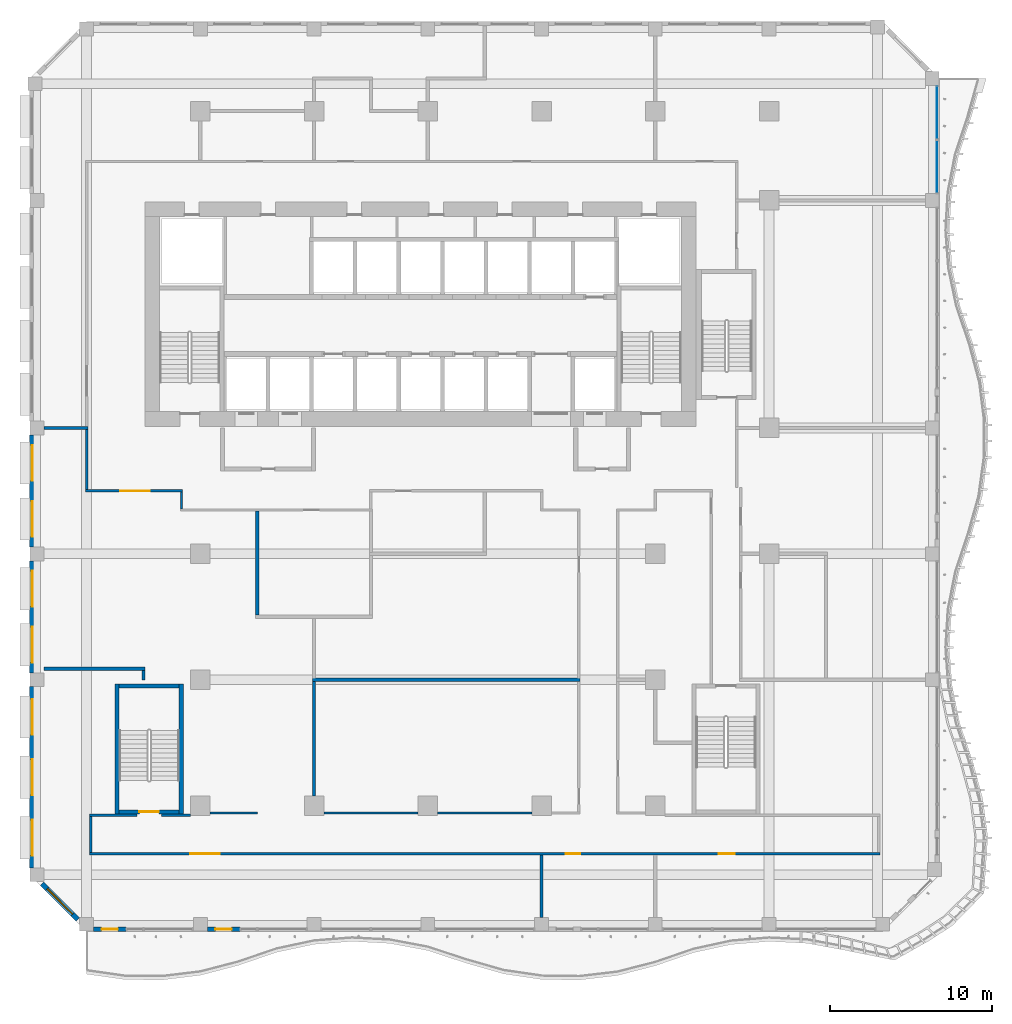
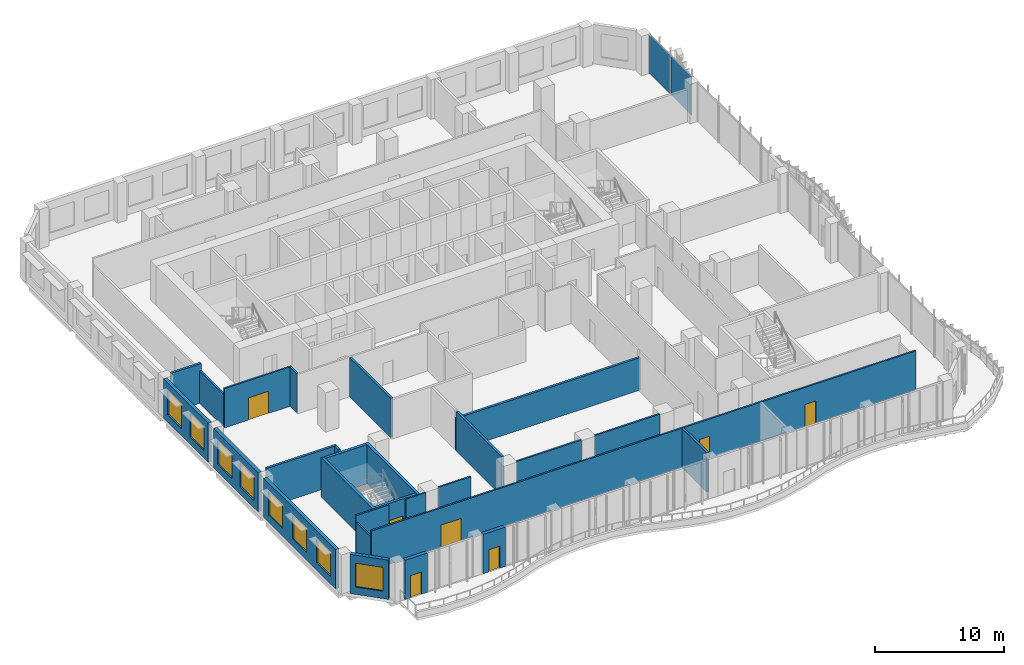
# One storey, part 10 of 26: 27 walls, 8 windows, 7 doors, 2 plates, 15 openings, 2 elements without a shape of their own.
"""IFC4 building model written with IfcOpenShell, lengths in metres."""

from ifc_helpers import new_model, si_unit, direction, frame, frame_2d, origin, origin_2d, place, context, subcontext, project, spatial, rectangle, extrude, source, transform, mapped, material, layer, layer_set, type_object, element, fill, aggregate, save


model = new_model("IFC4")

# Units and contexts
model_context = context("Model", 3, precision=1e-05, world=origin(), true_north=direction((0.0, 1.0)))
body_context = subcontext(model_context, "Body", "Model", "MODEL_VIEW")
ifc_project = project(units=[si_unit("LENGTHUNIT", "METRE"), si_unit("AREAUNIT", "SQUARE_METRE"), si_unit("VOLUMEUNIT", "CUBIC_METRE"), si_unit("PLANEANGLEUNIT", "RADIAN"), si_unit("MASSUNIT", "GRAM", prefix="KILO")], contexts=[model_context])

# Site, building, storey
site_placement = place(None, origin())
site = spatial("IfcSite", under=ifc_project, at=site_placement, CompositionType="ELEMENT")
building_placement = place(site_placement, origin())
building = spatial("IfcBuilding", under=site, at=building_placement, Name="Kilnfold Tower and Market Hall", CompositionType="ELEMENT")
storey_placement = place(building_placement, frame((0.0, 0.0, 108.60009765625)))
storey = spatial("IfcBuildingStorey", under=building, at=storey_placement, Name="L25", CompositionType="ELEMENT", Elevation=108.60009765625)

# Curtain wall, plate
ifc_material_1 = material(Name="Aluminium and double glazing", Category="aluminium")
curtain_wall_type = type_object("IfcCurtainWallType", Name="CW OF2 VALLEY GLAZING", PredefinedType="NOTDEFINED", material=ifc_material_1)
curtain_wall_1_placement = place(storey_placement, origin())
curtain_wall_1 = element("IfcCurtainWall", 1, at=curtain_wall_1_placement, inside=storey, type_object=curtain_wall_type, Name="Curtain wall CW2 L25 E", PredefinedType="NOTDEFINED")
ifc_material_2 = material(Name="Double glazed unit")
ifc_layer_1 = layer(ifc_material_2, 0.031982421875)
ifc_layer_set_1 = layer_set([ifc_layer_1], Name="Double glazed unit")
plate_type = type_object("IfcPlateType", Name="GLAZING PANEL 32", PredefinedType="CURTAIN_PANEL", material=ifc_layer_set_1)
shared_shape_1 = source(origin(), body_context, "Body", "SweptSolid", [
    extrude(rectangle(XDim=3.205078125, YDim=0.031982421875, at=origin_2d()), origin(), (0.0, 0.0, 1.0), 3.659912109375),
])
plate_1_placement = place(storey_placement, frame((32.85009765625, 24.08740234375, 0.0), z_axis=(0.0, 0.0, 1.0), x_axis=(0.0, 1.0, 0.0)))
plate_1 = element("IfcPlate", 2, at=plate_1_placement, type_object=plate_type, Name="CW2 panel 1.1", PredefinedType="CURTAIN_PANEL", context=body_context, shape_type="MappedRepresentation", body=[
    mapped(shared_shape_1, transform((0.0, 0.0, 0.0))),
])
aggregate(curtain_wall_1, [plate_1])

curtain_wall_2_placement = place(storey_placement, origin())
curtain_wall_2 = element("IfcCurtainWall", 3, at=curtain_wall_2_placement, inside=storey, type_object=curtain_wall_type, Name="Curtain wall CW2 L25 E", PredefinedType="NOTDEFINED")
plate_2_placement = place(storey_placement, frame((32.85009765625, 27.41259765625, 0.0), z_axis=(0.0, 0.0, 1.0), x_axis=(0.0, 1.0, 0.0)))
plate_2 = element("IfcPlate", 4, at=plate_2_placement, type_object=plate_type, Name="CW2 panel 1.1", PredefinedType="CURTAIN_PANEL", context=body_context, shape_type="MappedRepresentation", body=[
    mapped(shared_shape_1, transform((0.0, 0.0, 0.0))),
])
aggregate(curtain_wall_2, [plate_2])

# Walls
ifc_material_3 = material(Name="Gypsum board on steel studs", Category="steel")
ifc_layer_2 = layer(ifc_material_3, 0.14990234375)
ifc_layer_set_2 = layer_set([ifc_layer_2], Name="Gypsum board on steel studs")
wall_type_1 = type_object("IfcWallType", Name="WALL CORRIDOR 150", PredefinedType="PARTITIONING", material=ifc_layer_set_2)
wall_1_placement = place(storey_placement, frame((-14.89990234375, -15.824951171875, 0.0), z_axis=(0.0, 0.0, 1.0), x_axis=(1.0, 0.0, 0.0)))
element("IfcWall", 5, at=wall_1_placement, inside=storey, type_object=wall_type_1, Name="Partition LY16.1", PredefinedType="PARTITIONING", context=body_context, shape_type="SweptSolid", body=[
    extrude(rectangle(XDim=1.7998046875, YDim=0.14990234375, at=frame_2d((0.89990234375, 0.0))), origin(), (0.0, 0.0, 1.0), 3.719970703125),
])
wall_2_placement = place(storey_placement, frame((-11.89990234375, -15.699951171875, 0.0), z_axis=(0.0, 0.0, 1.0), x_axis=(1.0, 0.0, 0.0)))
element("IfcWall", 6, at=wall_2_placement, inside=storey, type_object=wall_type_1, Name="Partition LY16.2", PredefinedType="PARTITIONING", context=body_context, shape_type="SweptSolid", body=[
    extrude(rectangle(XDim=2.909912109375, YDim=0.14990234375, at=frame_2d((1.455078125, 0.0))), origin(), (0.0, 0.0, 1.0), 3.719970703125),
])
wall_3_placement = place(storey_placement, frame((-13.659912109375, 4.050048828125, 0.0), z_axis=(0.0, 0.0, 1.0), x_axis=(0.0, -1.0, 0.0)))
element("IfcWall", 7, at=wall_3_placement, inside=storey, type_object=wall_type_1, Name="Partition LY16.4", PredefinedType="PARTITIONING", context=body_context, shape_type="SweptSolid", body=[
    extrude(rectangle(XDim=1.025146484375, YDim=0.14990234375, at=frame_2d((0.5126953125, 0.0))), origin(), (0.0, 0.0, 1.0), 3.719970703125),
])

# Wall, opening, door
wall_4_placement = place(storey_placement, frame((-19.574951171875, 4.125, 0.0), z_axis=(0.0, 0.0, 1.0), x_axis=(1.0, 0.0, 0.0)))
wall_4 = element("IfcWall", 8, at=wall_4_placement, inside=storey, type_object=wall_type_1, Name="Partition LY16.5", PredefinedType="PARTITIONING", context=body_context, shape_type="SweptSolid", body=[
    extrude(rectangle(XDim=5.989990234375, YDim=0.14990234375, at=frame_2d((2.9951171875, 0.0))), origin(), (0.0, 0.0, 1.0), 3.719970703125),
])
opening_1_placement = place(wall_4_placement, frame((2.14599609375, 0.0, 0.0)))
opening_1 = element("IfcOpeningElement", 9, at=opening_1_placement, cuts=wall_4, Name="Opening D5", PredefinedType="OPENING", context=body_context, shape_type="SweptSolid", body=[
    extrude(rectangle(XDim=1.800048828125, YDim=2.10009765625, at=frame_2d((0.89990234375, 1.050048828125))), frame((0.0, 0.0849609375, 0.0), z_axis=(0.0, -1.0, 0.0), x_axis=(1.0, 0.0, 0.0)), (0.0, 0.0, 1.0), 0.169921875),
])
ifc_material_4 = material(Name="Timber veneer door leaf in steel frame", Category="steel")
door_type_1 = type_object("IfcDoorType", Name="DOOR DOUBLE 1800 X2100", OperationType="NOTDEFINED", PredefinedType="DOOR", material=ifc_material_4)
door_1_placement = place(opening_1_placement, origin())
door_1 = element("IfcDoor", 10, at=door_1_placement, inside=storey, type_object=door_type_1, Name="Door D5", OperationType="DOUBLE_DOOR_SINGLE_SWING", OverallHeight=2.10009765625, OverallWidth=1.800048828125, PredefinedType="DOOR", context=body_context, shape_type="SweptSolid", body=[
    extrude(rectangle(XDim=1.800048828125, YDim=2.10009765625, at=frame_2d((0.89990234375, 1.050048828125))), frame((0.0, 0.02490234375, 0.0), z_axis=(0.0, -1.0, 0.0), x_axis=(1.0, 0.0, 0.0)), (0.0, 0.0, 1.0), 0.050048828125),
])
fill(opening_1, door_1)

# Wall
wall_5_placement = place(storey_placement, frame((-19.5, 4.199951171875, 0.0), z_axis=(0.0, 0.0, 1.0), x_axis=(0.0, 1.0, 0.0)))
element("IfcWall", 11, at=wall_5_placement, inside=storey, type_object=wall_type_1, Name="Partition LY16.6", PredefinedType="PARTITIONING", context=body_context, shape_type="SweptSolid", body=[
    extrude(rectangle(XDim=3.7099609375, YDim=0.14990234375, at=frame_2d((1.85498046875, 0.0))), origin(), (0.0, 0.0, 1.0), 3.06982421875),
])

# Wall, openings, doors
wall_6_placement = place(storey_placement, frame((-19.324951171875, -18.199951171875, 0.0), z_axis=(0.0, 0.0, 1.0), x_axis=(1.0, 0.0, 0.0)))
wall_6 = element("IfcWall", 12, at=wall_6_placement, inside=storey, type_object=wall_type_1, Name="Partition LY16.7", PredefinedType="PARTITIONING", context=body_context, shape_type="SweptSolid", body=[
    extrude(rectangle(XDim=48.64990234375, YDim=0.14990234375, at=frame_2d((24.324951171875, 0.0))), origin(), (0.0, 0.0, 1.0), 3.719970703125),
])
opening_2_placement = place(wall_6_placement, frame((6.2080078125, 0.0, 0.0)))
opening_2 = element("IfcOpeningElement", 13, at=opening_2_placement, cuts=wall_6, Name="Opening D5", PredefinedType="OPENING", context=body_context, shape_type="SweptSolid", body=[
    extrude(rectangle(XDim=1.800048828125, YDim=2.10009765625, at=frame_2d((0.89990234375, 1.050048828125))), frame((0.0, 0.0849609375, 0.0), z_axis=(0.0, -1.0, 0.0), x_axis=(1.0, 0.0, 0.0)), (0.0, 0.0, 1.0), 0.169921875),
])
opening_3_placement = place(wall_6_placement, frame((29.320068359375, 0.0, 0.0)))
opening_3 = element("IfcOpeningElement", 14, at=opening_3_placement, cuts=wall_6, Name="Opening D2", PredefinedType="OPENING", context=body_context, shape_type="SweptSolid", body=[
    extrude(rectangle(XDim=0.89990234375, YDim=2.10009765625, at=frame_2d((0.449951171875, 1.050048828125))), frame((0.0, 0.0849609375, 0.0), z_axis=(0.0, -1.0, 0.0), x_axis=(1.0, 0.0, 0.0)), (0.0, 0.0, 1.0), 0.169921875),
])
opening_4_placement = place(wall_6_placement, frame((38.72509765625, 0.0, 0.0)))
opening_4 = element("IfcOpeningElement", 15, at=opening_4_placement, cuts=wall_6, Name="Opening D1", PredefinedType="OPENING", context=body_context, shape_type="SweptSolid", body=[
    extrude(rectangle(XDim=1.0, YDim=2.10009765625, at=frame_2d((0.5, 1.050048828125))), frame((0.0, 0.0849609375, 0.0), z_axis=(0.0, -1.0, 0.0), x_axis=(1.0, 0.0, 0.0)), (0.0, 0.0, 1.0), 0.169921875),
])
door_2_placement = place(opening_2_placement, origin())
door_2 = element("IfcDoor", 16, at=door_2_placement, inside=storey, type_object=door_type_1, Name="Door D5", OperationType="DOUBLE_DOOR_SINGLE_SWING", OverallHeight=2.10009765625, OverallWidth=1.800048828125, PredefinedType="DOOR", context=body_context, shape_type="SweptSolid", body=[
    extrude(rectangle(XDim=1.800048828125, YDim=2.10009765625, at=frame_2d((0.89990234375, 1.050048828125))), frame((0.0, 0.02490234375, 0.0), z_axis=(0.0, -1.0, 0.0), x_axis=(1.0, 0.0, 0.0)), (0.0, 0.0, 1.0), 0.050048828125),
])
fill(opening_2, door_2)
ifc_material_5 = material(Name="Timber veneer door leaf in steel frame", Category="steel")
door_type_2 = type_object("IfcDoorType", Name="DOOR ENTRY 1000 X2100", OperationType="NOTDEFINED", PredefinedType="DOOR", material=ifc_material_5)
door_3_placement = place(opening_4_placement, origin())
door_3 = element("IfcDoor", 17, at=door_3_placement, inside=storey, type_object=door_type_2, Name="Door D1", OperationType="SINGLE_SWING_RIGHT", OverallHeight=2.10009765625, OverallWidth=1.0, PredefinedType="DOOR", context=body_context, shape_type="SweptSolid", body=[
    extrude(rectangle(XDim=1.0, YDim=2.10009765625, at=frame_2d((0.5, 1.050048828125))), frame((0.0, 0.02490234375, 0.0), z_axis=(0.0, -1.0, 0.0), x_axis=(1.0, 0.0, 0.0)), (0.0, 0.0, 1.0), 0.050048828125),
])
fill(opening_4, door_3)
ifc_material_6 = material(Name="Timber veneer door leaf in steel frame", Category="steel")
door_type_3 = type_object("IfcDoorType", Name="DOOR ROOM 900 X2100", OperationType="NOTDEFINED", PredefinedType="DOOR", material=ifc_material_6)
door_4_placement = place(opening_3_placement, origin())
door_4 = element("IfcDoor", 18, at=door_4_placement, inside=storey, type_object=door_type_3, Name="Door D2", OperationType="SINGLE_SWING_RIGHT", OverallHeight=2.10009765625, OverallWidth=0.89990234375, PredefinedType="DOOR", context=body_context, shape_type="SweptSolid", body=[
    extrude(rectangle(XDim=0.89990234375, YDim=2.10009765625, at=frame_2d((0.449951171875, 1.050048828125))), frame((0.0, 0.02490234375, 0.0), z_axis=(0.0, -1.0, 0.0), x_axis=(1.0, 0.0, 0.0)), (0.0, 0.0, 1.0), 0.050048828125),
])
fill(opening_3, door_4)

# Walls
wall_7_placement = place(storey_placement, frame((-19.25, -15.89990234375, 0.0), z_axis=(0.0, 0.0, 1.0), x_axis=(0.0, -1.0, 0.0)))
element("IfcWall", 19, at=wall_7_placement, inside=storey, type_object=wall_type_1, Name="Partition LY16.8", PredefinedType="PARTITIONING", context=body_context, shape_type="SweptSolid", body=[
    extrude(rectangle(XDim=2.22509765625, YDim=0.14990234375, at=frame_2d((1.112548828125, 0.0))), origin(), (0.0, 0.0, 1.0), 3.06982421875),
])
wall_8_placement = place(storey_placement, frame((-19.324951171875, -15.824951171875, 0.0), z_axis=(0.0, 0.0, 1.0), x_axis=(1.0, 0.0, 0.0)))
element("IfcWall", 20, at=wall_8_placement, inside=storey, type_object=wall_type_1, Name="Partition LY16.9", PredefinedType="PARTITIONING", context=body_context, shape_type="SweptSolid", body=[
    extrude(rectangle(XDim=2.925048828125, YDim=0.14990234375, at=frame_2d((1.46240234375, 0.0))), origin(), (0.0, 0.0, 1.0), 3.719970703125),
])
for number, where, z_axis, x_axis, name in (
    (21, (-4.89990234375, -15.699951171875, 0.0), (0.0, 0.0, 1.0), (1.0, 0.0, 0.0), "Partition LY16.12"),
    (22, (2.10009765625, -15.699951171875, 0.0), (0.0, 0.0, 1.0), (1.0, 0.0, 0.0), "Partition LY16.13"),
):
    element("IfcWall", number, at=place(storey_placement, frame(where, z_axis=z_axis, x_axis=x_axis)), inside=storey, type_object=wall_type_1, Name=name, PredefinedType="PARTITIONING", context=body_context, shape_type="SweptSolid", body=[
        extrude(rectangle(XDim=5.7998046875, YDim=0.14990234375, at=frame_2d((2.89990234375, 0.0))), origin(), (0.0, 0.0, 1.0), 3.719970703125),
    ])
ifc_material_7 = material(Name="Gypsum board on steel studs", Category="steel")
ifc_layer_3 = layer(ifc_material_7, 0.199951171875)
ifc_layer_set_3 = layer_set([ifc_layer_3], Name="Gypsum board on steel studs")
wall_type_2 = type_object("IfcWallType", Name="WALL PARTY 200", PredefinedType="PARTITIONING", material=ifc_layer_set_3)
wall_9_placement = place(storey_placement, frame((-9.0, -3.52490234375, 0.0), z_axis=(0.0, 0.0, 1.0), x_axis=(0.0, 1.0, 0.0)))
element("IfcWall", 23, at=wall_9_placement, inside=storey, type_object=wall_type_2, Name="Partition LY16.36", PredefinedType="PARTITIONING", context=body_context, shape_type="SweptSolid", body=[
    extrude(rectangle(XDim=6.39892578125, YDim=0.199951171875, at=frame_2d((3.199462890625, 0.0))), origin(), (0.0, 0.0, 1.0), 3.719970703125),
])
wall_10_placement = place(storey_placement, frame((-15.998046875, -6.91796875, 0.0), z_axis=(0.0, 0.0, 1.0), x_axis=(0.0, -1.0, 0.0)))
element("IfcWall", 24, at=wall_10_placement, inside=storey, type_object=wall_type_2, Name="Partition LY16.38", PredefinedType="PARTITIONING", context=body_context, shape_type="SweptSolid", body=[
    extrude(rectangle(XDim=0.583984375, YDim=0.199951171875, at=frame_2d((0.2919921875, 0.0))), origin(), (0.0, 0.0, 1.0), 3.719970703125),
])
wall_11_placement = place(storey_placement, frame((-22.126953125, -6.818115234375, 0.0), z_axis=(0.0, 0.0, 1.0), x_axis=(1.0, 0.0, 0.0)))
element("IfcWall", 25, at=wall_11_placement, inside=storey, type_object=wall_type_2, Name="Partition LY16.39", PredefinedType="PARTITIONING", context=body_context, shape_type="SweptSolid", body=[
    extrude(rectangle(XDim=6.22900390625, YDim=0.199951171875, at=frame_2d((3.114501953125, 0.0))), origin(), (0.0, 0.0, 1.0), 3.719970703125),
])
wall_12_placement = place(storey_placement, frame((-5.5, -14.64990234375, 0.0), z_axis=(0.0, 0.0, 1.0), x_axis=(0.0, 1.0, 0.0)))
element("IfcWall", 26, at=wall_12_placement, inside=storey, type_object=wall_type_2, Name="Partition LY16.40", PredefinedType="PARTITIONING", context=body_context, shape_type="SweptSolid", body=[
    extrude(rectangle(XDim=7.059814453125, YDim=0.199951171875, at=frame_2d((3.52978515625, 0.0))), origin(), (0.0, 0.0, 1.0), 3.719970703125),
])
wall_13_placement = place(storey_placement, frame((-22.125, 8.0, 0.0), z_axis=(0.0, 0.0, 1.0), x_axis=(1.0, 0.0, 0.0)))
element("IfcWall", 27, at=wall_13_placement, inside=storey, type_object=wall_type_2, Name="Partition LY16.42", PredefinedType="PARTITIONING", context=body_context, shape_type="SweptSolid", body=[
    extrude(rectangle(XDim=2.698974609375, YDim=0.199951171875, at=frame_2d((1.349609375, 0.0))), origin(), (0.0, 0.0, 1.0), 3.719970703125),
])
wall_14_placement = place(storey_placement, frame((8.5, -22.125, 0.0), z_axis=(0.0, 0.0, 1.0), x_axis=(0.0, 1.0, 0.0)))
element("IfcWall", 28, at=wall_14_placement, inside=storey, type_object=wall_type_2, Name="Partition LY16.45", PredefinedType="PARTITIONING", context=body_context, shape_type="SweptSolid", body=[
    extrude(rectangle(XDim=3.84912109375, YDim=0.199951171875, at=frame_2d((1.924560546875, 0.0))), origin(), (0.0, 0.0, 1.0), 3.719970703125),
])
wall_15_placement = place(storey_placement, frame((-5.60009765625, -7.5, 0.0), z_axis=(0.0, 0.0, 1.0), x_axis=(1.0, 0.0, 0.0)))
element("IfcWall", 29, at=wall_15_placement, inside=storey, type_object=wall_type_2, Name="Partition LY16.49", PredefinedType="PARTITIONING", context=body_context, shape_type="SweptSolid", body=[
    extrude(rectangle(XDim=16.47412109375, YDim=0.199951171875, at=frame_2d((8.237060546875, 0.0))), origin(), (0.0, 0.0, 1.0), 3.06982421875),
])

# Wall, opening, door
ifc_material_8 = material(Name="Concrete C70", Category="concrete")
ifc_layer_4 = layer(ifc_material_8, 0.25)
ifc_layer_set_4 = layer_set([ifc_layer_4], Name="Concrete C70")
wall_type_3 = type_object("IfcWallType", Name="CORE WALL 250 C70", PredefinedType="SHEAR", material=ifc_layer_set_4)
shared_shape_2 = source(origin(), body_context, "Body", "SweptSolid", [
    extrude(rectangle(XDim=3.699951171875, YDim=0.25, at=frame_2d((1.85009765625, 0.0))), origin(), (0.0, 0.0, 1.0), 3.719970703125),
])
wall_16_placement = place(storey_placement, frame((-17.5, -15.625, 0.0), z_axis=(0.0, 0.0, 1.0), x_axis=(1.0, 0.0, 0.0)))
wall_16 = element("IfcWall", 30, at=wall_16_placement, inside=storey, type_object=wall_type_3, Name="Stair enclosure ST3", PredefinedType="SHEAR", context=body_context, shape_type="MappedRepresentation", body=[
    mapped(shared_shape_2, transform((0.0, 0.0, 0.0))),
])
opening_5_placement = place(wall_16_placement, frame((1.25, 0.0, 0.0)))
opening_5 = element("IfcOpeningElement", 31, at=opening_5_placement, cuts=wall_16, Name="Opening SD1", PredefinedType="OPENING", context=body_context, shape_type="SweptSolid", body=[
    extrude(rectangle(XDim=1.199951171875, YDim=2.10009765625, at=frame_2d((0.60009765625, 1.050048828125))), frame((0.0, 0.135009765625, 0.0), z_axis=(0.0, -1.0, 0.0), x_axis=(1.0, 0.0, 0.0)), (0.0, 0.0, 1.0), 0.27001953125),
])
ifc_material_9 = material(Name="Steel door set with fire-resisting leaf", Category="steel")
door_type_4 = type_object("IfcDoorType", Name="STAIR FLOOR DOOR 1200X2100", OperationType="NOTDEFINED", PredefinedType="DOOR", material=ifc_material_9)
door_5_placement = place(opening_5_placement, origin())
door_5 = element("IfcDoor", 32, at=door_5_placement, inside=storey, type_object=door_type_4, Name="Exit stair ST3 door", OperationType="DOUBLE_DOOR_SINGLE_SWING", OverallHeight=2.10009765625, OverallWidth=1.199951171875, PredefinedType="DOOR", context=body_context, shape_type="SweptSolid", body=[
    extrude(rectangle(XDim=1.199951171875, YDim=2.10009765625, at=frame_2d((0.60009765625, 1.050048828125))), frame((0.0, 0.02490234375, 0.0), z_axis=(0.0, -1.0, 0.0), x_axis=(1.0, 0.0, 0.0)), (0.0, 0.0, 1.0), 0.050048828125),
])
fill(opening_5, door_5)

# Walls
wall_17_placement = place(storey_placement, frame((-17.5, -7.875, 0.0), z_axis=(0.0, 0.0, 1.0), x_axis=(1.0, 0.0, 0.0)))
element("IfcWall", 33, at=wall_17_placement, inside=storey, type_object=wall_type_3, Name="Stair enclosure ST3", PredefinedType="SHEAR", context=body_context, shape_type="MappedRepresentation", body=[
    mapped(shared_shape_2, transform((0.0, 0.0, 0.0))),
])
shared_shape_3 = source(origin(), body_context, "Body", "SweptSolid", [
    extrude(rectangle(XDim=8.0, YDim=0.25, at=frame_2d((4.0, 0.0))), origin(), (0.0, 0.0, 1.0), 3.719970703125),
])
for number, where, z_axis, x_axis, name in (
    (34, (-17.625, -15.75, 0.0), (0.0, 0.0, 1.0), (0.0, 1.0, 0.0), "Stair enclosure ST3"),
    (35, (-13.675048828125, -15.75, 0.0), (0.0, 0.0, 1.0), (0.0, 1.0, 0.0), "Stair enclosure ST3"),
):
    element("IfcWall", number, at=place(storey_placement, frame(where, z_axis=z_axis, x_axis=x_axis)), inside=storey, type_object=wall_type_3, Name=name, PredefinedType="SHEAR", context=body_context, shape_type="MappedRepresentation", body=[
        mapped(shared_shape_3, transform((0.0, 0.0, 0.0))),
    ])

# Wall, opening, door
ifc_material_10 = material(Name="Precast concrete C50/60", Category="concrete")
ifc_layer_5 = layer(ifc_material_10, 0.300048828125)
ifc_layer_set_5 = layer_set([ifc_layer_5], Name="Precast concrete C50/60")
wall_type_4 = type_object("IfcWallType", Name="PRECAST WALL 300", PredefinedType="SOLIDWALL", material=ifc_layer_set_5)
shared_shape_4 = source(origin(), body_context, "Body", "SweptSolid", [
    extrude(rectangle(XDim=2.0, YDim=0.300048828125, at=frame_2d((1.0, 0.0))), origin(), (0.0, 0.0, 1.0), 3.719970703125),
])
wall_18_placement = place(storey_placement, frame((-19.074951171875, -22.85009765625, 0.0), z_axis=(0.0, 0.0, 1.0), x_axis=(1.0, 0.0, 0.0)))
wall_18 = element("IfcWall", 36, at=wall_18_placement, inside=storey, type_object=wall_type_4, Name="External wall L25 S", PredefinedType="SOLIDWALL", context=body_context, shape_type="MappedRepresentation", body=[
    mapped(shared_shape_4, transform((0.0, 0.0, 0.0))),
])
opening_6_placement = place(wall_18_placement, frame((0.5, 0.0, 0.0)))
opening_6 = element("IfcOpeningElement", 37, at=opening_6_placement, cuts=wall_18, Name="Opening BD1", PredefinedType="OPENING", context=body_context, shape_type="SweptSolid", body=[
    extrude(rectangle(XDim=1.0, YDim=2.10009765625, at=frame_2d((0.5, 1.050048828125))), frame((0.0, 0.16015625, 0.0), z_axis=(0.0, -1.0, 0.0), x_axis=(1.0, 0.0, 0.0)), (0.0, 0.0, 1.0), 0.320068359375),
])
ifc_material_11 = material(Name="Aluminium frame and double glazing", Category="aluminium")
door_type_5 = type_object("IfcDoorType", Name="BALCONY DOOR 1000X2100", OperationType="NOTDEFINED", PredefinedType="DOOR", material=ifc_material_11)
door_6_placement = place(opening_6_placement, origin())
door_6 = element("IfcDoor", 38, at=door_6_placement, inside=storey, type_object=door_type_5, Name="Balcony door BD1 L25 S-1", OperationType="SINGLE_SWING_LEFT", OverallHeight=2.10009765625, OverallWidth=1.0, PredefinedType="DOOR", context=body_context, shape_type="SweptSolid", body=[
    extrude(rectangle(XDim=1.0, YDim=2.10009765625, at=frame_2d((0.5, 1.050048828125))), frame((0.0, 0.02490234375, 0.0), z_axis=(0.0, -1.0, 0.0), x_axis=(1.0, 0.0, 0.0)), (0.0, 0.0, 1.0), 0.050048828125),
])
fill(opening_6, door_6)

wall_19_placement = place(storey_placement, frame((-12.074951171875, -22.85009765625, 0.0), z_axis=(0.0, 0.0, 1.0), x_axis=(1.0, 0.0, 0.0)))
wall_19 = element("IfcWall", 39, at=wall_19_placement, inside=storey, type_object=wall_type_4, Name="External wall L25 S", PredefinedType="SOLIDWALL", context=body_context, shape_type="MappedRepresentation", body=[
    mapped(shared_shape_4, transform((0.0, 0.0, 0.0))),
])
opening_7_placement = place(wall_19_placement, frame((0.5, 0.0, 0.0)))
opening_7 = element("IfcOpeningElement", 40, at=opening_7_placement, cuts=wall_19, Name="Opening BD1", PredefinedType="OPENING", context=body_context, shape_type="SweptSolid", body=[
    extrude(rectangle(XDim=1.0, YDim=2.10009765625, at=frame_2d((0.5, 1.050048828125))), frame((0.0, 0.16015625, 0.0), z_axis=(0.0, -1.0, 0.0), x_axis=(1.0, 0.0, 0.0)), (0.0, 0.0, 1.0), 0.320068359375),
])
door_7_placement = place(opening_7_placement, origin())
door_7 = element("IfcDoor", 41, at=door_7_placement, inside=storey, type_object=door_type_5, Name="Balcony door BD1 L25 S-1", OperationType="SINGLE_SWING_LEFT", OverallHeight=2.10009765625, OverallWidth=1.0, PredefinedType="DOOR", context=body_context, shape_type="SweptSolid", body=[
    extrude(rectangle(XDim=1.0, YDim=2.10009765625, at=frame_2d((0.5, 1.050048828125))), frame((0.0, 0.02490234375, 0.0), z_axis=(0.0, -1.0, 0.0), x_axis=(1.0, 0.0, 0.0)), (0.0, 0.0, 1.0), 0.050048828125),
])
fill(opening_7, door_7)

# Wall, openings, windows
shared_shape_5 = source(origin(), body_context, "Body", "SweptSolid", [
    extrude(rectangle(XDim=6.89990234375, YDim=0.300048828125, at=frame_2d((3.449951171875, 0.0))), origin(), (0.0, 0.0, 1.0), 3.719970703125),
])
wall_20_placement = place(storey_placement, frame((-22.85009765625, 7.574951171875, 0.0), z_axis=(0.0, 0.0, 1.0), x_axis=(0.0, -1.0, 0.0)))
wall_20 = element("IfcWall", 42, at=wall_20_placement, inside=storey, type_object=wall_type_4, Name="External wall L25 W", PredefinedType="SOLIDWALL", context=body_context, shape_type="MappedRepresentation", body=[
    mapped(shared_shape_5, transform((0.0, 0.0, 0.0))),
])
opening_8_placement = place(wall_20_placement, frame((0.625, 0.0, 0.699951171875)))
opening_8 = element("IfcOpeningElement", 43, at=opening_8_placement, cuts=wall_20, Name="Opening W1", PredefinedType="OPENING", context=body_context, shape_type="SweptSolid", body=[
    extrude(rectangle(XDim=2.199951171875, YDim=2.25, at=frame_2d((1.10009765625, 1.125))), frame((0.0, 0.16015625, 0.0), z_axis=(0.0, -1.0, 0.0), x_axis=(1.0, 0.0, 0.0)), (0.0, 0.0, 1.0), 0.320068359375),
])
opening_9_placement = place(wall_20_placement, frame((4.074951171875, 0.0, 0.699951171875)))
opening_9 = element("IfcOpeningElement", 44, at=opening_9_placement, cuts=wall_20, Name="Opening W1", PredefinedType="OPENING", context=body_context, shape_type="SweptSolid", body=[
    extrude(rectangle(XDim=2.199951171875, YDim=2.25, at=frame_2d((1.10009765625, 1.125))), frame((0.0, 0.16015625, 0.0), z_axis=(0.0, -1.0, 0.0), x_axis=(1.0, 0.0, 0.0)), (0.0, 0.0, 1.0), 0.320068359375),
])
ifc_material_12 = material(Name="Aluminium frame and double glazing", Category="aluminium")
window_type = type_object("IfcWindowType", Name="WINDOW W1 2200X2250", PartitioningType="SINGLE_PANEL", PredefinedType="WINDOW", material=ifc_material_12)
window_1_placement = place(opening_8_placement, origin())
window_1 = element("IfcWindow", 45, at=window_1_placement, inside=storey, type_object=window_type, Name="Window W1 L25 W-1", OverallHeight=2.25, OverallWidth=2.199951171875, PartitioningType="SINGLE_PANEL", PredefinedType="WINDOW", context=body_context, shape_type="SweptSolid", body=[
    extrude(rectangle(XDim=2.199951171875, YDim=2.25, at=frame_2d((1.10009765625, 1.125))), frame((0.0, 0.030029296875, 0.0), z_axis=(0.0, -1.0, 0.0), x_axis=(1.0, 0.0, 0.0)), (0.0, 0.0, 1.0), 0.06005859375),
])
fill(opening_8, window_1)
window_2_placement = place(opening_9_placement, origin())
window_2 = element("IfcWindow", 46, at=window_2_placement, inside=storey, type_object=window_type, Name="Window W1 L25 W-2", OverallHeight=2.25, OverallWidth=2.199951171875, PartitioningType="SINGLE_PANEL", PredefinedType="WINDOW", context=body_context, shape_type="SweptSolid", body=[
    extrude(rectangle(XDim=2.199951171875, YDim=2.25, at=frame_2d((1.10009765625, 1.125))), frame((0.0, 0.030029296875, 0.0), z_axis=(0.0, -1.0, 0.0), x_axis=(1.0, 0.0, 0.0)), (0.0, 0.0, 1.0), 0.06005859375),
])
fill(opening_9, window_2)

wall_21_placement = place(storey_placement, frame((-22.85009765625, -0.175048828125, 0.0), z_axis=(0.0, 0.0, 1.0), x_axis=(0.0, -1.0, 0.0)))
wall_21 = element("IfcWall", 47, at=wall_21_placement, inside=storey, type_object=wall_type_4, Name="External wall L25 W", PredefinedType="SOLIDWALL", context=body_context, shape_type="MappedRepresentation", body=[
    mapped(shared_shape_5, transform((0.0, 0.0, 0.0))),
])
opening_10_placement = place(wall_21_placement, frame((0.625, 0.0, 0.699951171875)))
opening_10 = element("IfcOpeningElement", 48, at=opening_10_placement, cuts=wall_21, Name="Opening W1", PredefinedType="OPENING", context=body_context, shape_type="SweptSolid", body=[
    extrude(rectangle(XDim=2.199951171875, YDim=2.25, at=frame_2d((1.10009765625, 1.125))), frame((0.0, 0.16015625, 0.0), z_axis=(0.0, -1.0, 0.0), x_axis=(1.0, 0.0, 0.0)), (0.0, 0.0, 1.0), 0.320068359375),
])
opening_11_placement = place(wall_21_placement, frame((4.074951171875, 0.0, 0.699951171875)))
opening_11 = element("IfcOpeningElement", 49, at=opening_11_placement, cuts=wall_21, Name="Opening W1", PredefinedType="OPENING", context=body_context, shape_type="SweptSolid", body=[
    extrude(rectangle(XDim=2.199951171875, YDim=2.25, at=frame_2d((1.10009765625, 1.125))), frame((0.0, 0.16015625, 0.0), z_axis=(0.0, -1.0, 0.0), x_axis=(1.0, 0.0, 0.0)), (0.0, 0.0, 1.0), 0.320068359375),
])
window_3_placement = place(opening_10_placement, origin())
window_3 = element("IfcWindow", 50, at=window_3_placement, inside=storey, type_object=window_type, Name="Window W1 L25 W-1", OverallHeight=2.25, OverallWidth=2.199951171875, PartitioningType="SINGLE_PANEL", PredefinedType="WINDOW", context=body_context, shape_type="SweptSolid", body=[
    extrude(rectangle(XDim=2.199951171875, YDim=2.25, at=frame_2d((1.10009765625, 1.125))), frame((0.0, 0.030029296875, 0.0), z_axis=(0.0, -1.0, 0.0), x_axis=(1.0, 0.0, 0.0)), (0.0, 0.0, 1.0), 0.06005859375),
])
fill(opening_10, window_3)
window_4_placement = place(opening_11_placement, origin())
window_4 = element("IfcWindow", 51, at=window_4_placement, inside=storey, type_object=window_type, Name="Window W1 L25 W-2", OverallHeight=2.25, OverallWidth=2.199951171875, PartitioningType="SINGLE_PANEL", PredefinedType="WINDOW", context=body_context, shape_type="SweptSolid", body=[
    extrude(rectangle(XDim=2.199951171875, YDim=2.25, at=frame_2d((1.10009765625, 1.125))), frame((0.0, 0.030029296875, 0.0), z_axis=(0.0, -1.0, 0.0), x_axis=(1.0, 0.0, 0.0)), (0.0, 0.0, 1.0), 0.06005859375),
])
fill(opening_11, window_4)

shared_shape_6 = source(origin(), body_context, "Body", "SweptSolid", [
    extrude(rectangle(XDim=11.14990234375, YDim=0.300048828125, at=frame_2d((5.574951171875, 0.0))), origin(), (0.0, 0.0, 1.0), 3.719970703125),
])
wall_22_placement = place(storey_placement, frame((-22.85009765625, -7.925048828125, 0.0), z_axis=(0.0, 0.0, 1.0), x_axis=(0.0, -1.0, 0.0)))
wall_22 = element("IfcWall", 52, at=wall_22_placement, inside=storey, type_object=wall_type_4, Name="External wall L25 W", PredefinedType="SOLIDWALL", context=body_context, shape_type="MappedRepresentation", body=[
    mapped(shared_shape_6, transform((0.0, 0.0, 0.0))),
])
opening_12_placement = place(wall_22_placement, frame((0.75830078125, 0.0, 0.699951171875)))
opening_12 = element("IfcOpeningElement", 53, at=opening_12_placement, cuts=wall_22, Name="Opening W1", PredefinedType="OPENING", context=body_context, shape_type="SweptSolid", body=[
    extrude(rectangle(XDim=2.199951171875, YDim=2.25, at=frame_2d((1.10009765625, 1.125))), frame((0.0, 0.16015625, 0.0), z_axis=(0.0, -1.0, 0.0), x_axis=(1.0, 0.0, 0.0)), (0.0, 0.0, 1.0), 0.320068359375),
])
opening_13_placement = place(wall_22_placement, frame((4.47509765625, 0.0, 0.699951171875)))
opening_13 = element("IfcOpeningElement", 54, at=opening_13_placement, cuts=wall_22, Name="Opening W1", PredefinedType="OPENING", context=body_context, shape_type="SweptSolid", body=[
    extrude(rectangle(XDim=2.199951171875, YDim=2.25, at=frame_2d((1.10009765625, 1.125))), frame((0.0, 0.16015625, 0.0), z_axis=(0.0, -1.0, 0.0), x_axis=(1.0, 0.0, 0.0)), (0.0, 0.0, 1.0), 0.320068359375),
])
opening_14_placement = place(wall_22_placement, frame((8.191650390625, 0.0, 0.699951171875)))
opening_14 = element("IfcOpeningElement", 55, at=opening_14_placement, cuts=wall_22, Name="Opening W1", PredefinedType="OPENING", context=body_context, shape_type="SweptSolid", body=[
    extrude(rectangle(XDim=2.199951171875, YDim=2.25, at=frame_2d((1.10009765625, 1.125))), frame((0.0, 0.16015625, 0.0), z_axis=(0.0, -1.0, 0.0), x_axis=(1.0, 0.0, 0.0)), (0.0, 0.0, 1.0), 0.320068359375),
])
window_5_placement = place(opening_12_placement, origin())
window_5 = element("IfcWindow", 56, at=window_5_placement, inside=storey, type_object=window_type, Name="Window W1 L25 W-1", OverallHeight=2.25, OverallWidth=2.199951171875, PartitioningType="SINGLE_PANEL", PredefinedType="WINDOW", context=body_context, shape_type="SweptSolid", body=[
    extrude(rectangle(XDim=2.199951171875, YDim=2.25, at=frame_2d((1.10009765625, 1.125))), frame((0.0, 0.030029296875, 0.0), z_axis=(0.0, -1.0, 0.0), x_axis=(1.0, 0.0, 0.0)), (0.0, 0.0, 1.0), 0.06005859375),
])
fill(opening_12, window_5)
window_6_placement = place(opening_13_placement, origin())
window_6 = element("IfcWindow", 57, at=window_6_placement, inside=storey, type_object=window_type, Name="Window W1 L25 W-2", OverallHeight=2.25, OverallWidth=2.199951171875, PartitioningType="SINGLE_PANEL", PredefinedType="WINDOW", context=body_context, shape_type="SweptSolid", body=[
    extrude(rectangle(XDim=2.199951171875, YDim=2.25, at=frame_2d((1.10009765625, 1.125))), frame((0.0, 0.030029296875, 0.0), z_axis=(0.0, -1.0, 0.0), x_axis=(1.0, 0.0, 0.0)), (0.0, 0.0, 1.0), 0.06005859375),
])
fill(opening_13, window_6)
window_7_placement = place(opening_14_placement, origin())
window_7 = element("IfcWindow", 58, at=window_7_placement, inside=storey, type_object=window_type, Name="Window W1 L25 W-3", OverallHeight=2.25, OverallWidth=2.199951171875, PartitioningType="SINGLE_PANEL", PredefinedType="WINDOW", context=body_context, shape_type="SweptSolid", body=[
    extrude(rectangle(XDim=2.199951171875, YDim=2.25, at=frame_2d((1.10009765625, 1.125))), frame((0.0, 0.030029296875, 0.0), z_axis=(0.0, -1.0, 0.0), x_axis=(1.0, 0.0, 0.0)), (0.0, 0.0, 1.0), 0.06005859375),
])
fill(opening_14, window_7)

# Wall, opening, window
shared_shape_7 = source(origin(), body_context, "Body", "SweptSolid", [
    extrude(rectangle(XDim=3.111083984375, YDim=0.300048828125, at=frame_2d((1.5556640625, 0.0))), origin(), (0.0, 0.0, 1.0), 3.719970703125),
])
wall_23_placement = place(storey_placement, frame((-22.243896484375, -20.0439453125, 0.0), z_axis=(0.0, 0.0, 1.0), x_axis=(0.707106781187, -0.707106781187, 0.0)))
wall_23 = element("IfcWall", 59, at=wall_23_placement, inside=storey, type_object=wall_type_4, Name="External wall L25 SW", PredefinedType="SOLIDWALL", context=body_context, shape_type="MappedRepresentation", body=[
    mapped(shared_shape_7, transform((0.0, 0.0, 0.0))),
])
opening_15_placement = place(wall_23_placement, frame((0.45556640625, 0.0, 0.699951171875)))
opening_15 = element("IfcOpeningElement", 60, at=opening_15_placement, cuts=wall_23, Name="Opening W1", PredefinedType="OPENING", context=body_context, shape_type="SweptSolid", body=[
    extrude(rectangle(XDim=2.199951171875, YDim=2.25, at=frame_2d((1.10009765625, 1.125))), frame((0.0, 0.16015625, 0.0), z_axis=(0.0, -1.0, 0.0), x_axis=(1.0, 0.0, 0.0)), (0.0, 0.0, 1.0), 0.320068359375),
])
window_8_placement = place(opening_15_placement, origin())
window_8 = element("IfcWindow", 61, at=window_8_placement, inside=storey, type_object=window_type, Name="Window W1 L25 SW-1", OverallHeight=2.25, OverallWidth=2.199951171875, PartitioningType="SINGLE_PANEL", PredefinedType="WINDOW", context=body_context, shape_type="SweptSolid", body=[
    extrude(rectangle(XDim=2.199951171875, YDim=2.25, at=frame_2d((1.10009765625, 1.125))), frame((0.0, 0.030029296875, 0.0), z_axis=(0.0, -1.0, 0.0), x_axis=(1.0, 0.0, 0.0)), (0.0, 0.0, 1.0), 0.06005859375),
])
fill(opening_15, window_8)

save(model, "model.ifc")
